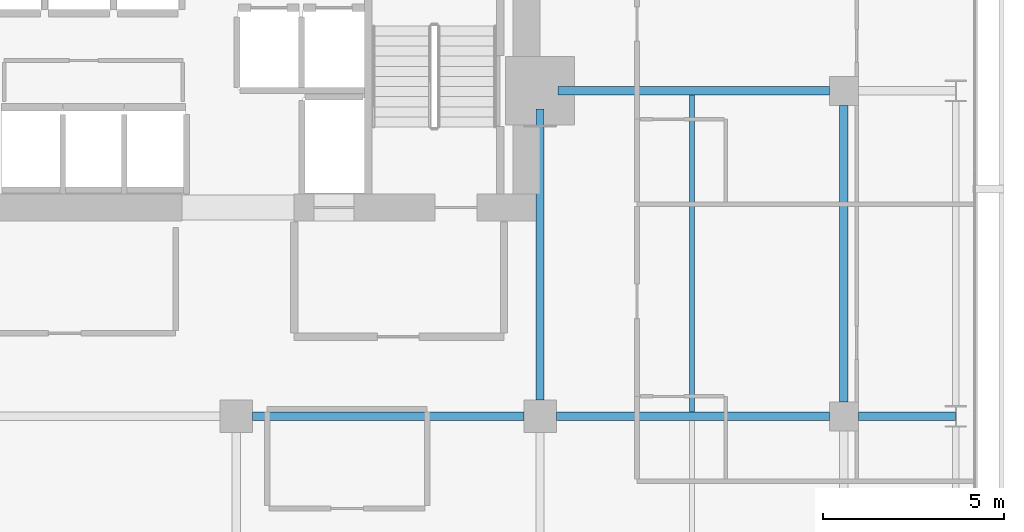
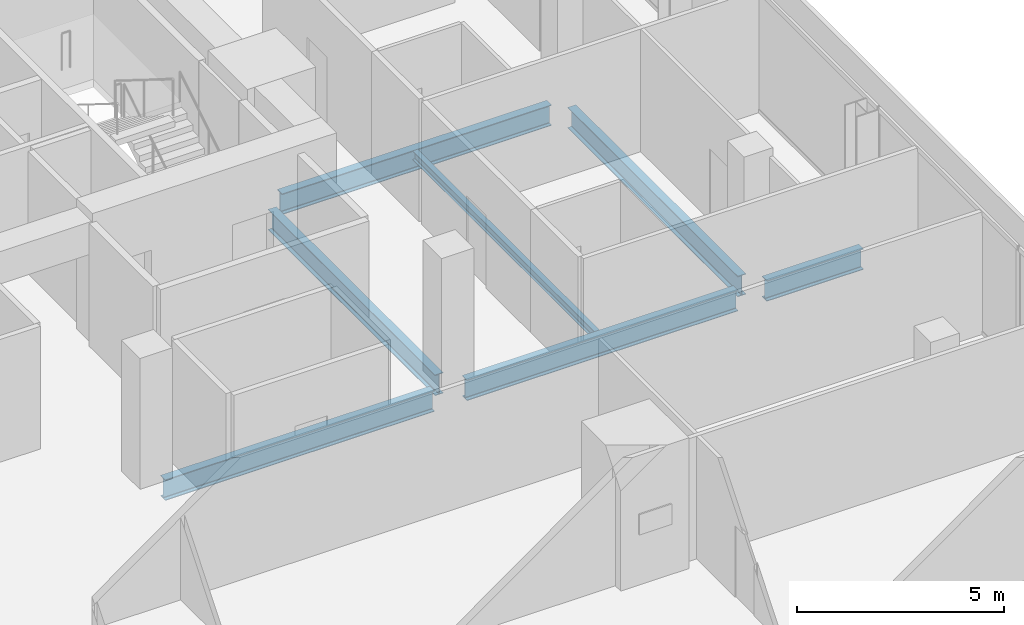
# One storey, part 23 of 33: 7 beams.
"""IFC4 building model written with IfcOpenShell, lengths in metres."""

import ifcopenshell
import ifcopenshell.guid

model = None  # the IFC model being written
_history = None  # IfcOwnerHistory: only IFC2X3 demands one
_inside = {}  # id of a spatial element -> (the spatial element, [elements in it])
_under = {}  # id of a project, library or spatial element -> (it, [spatial elements below it])
_declared = {}  # id of a project -> (the project, [libraries it declares])
_typed = {}  # id of a type object -> (the type object, [elements of that type])
_made_of = {}  # id of a material, layer set ... -> (it, [elements and type objects made of it])


def new_model(schema):
    """Start an empty IFC model of exactly this schema.

    Asked for "IFC4X3", IfcOpenShell would pick the latest addendum, in which some entities
    have other attributes; the version numbers below select the first issue.
    IFC2X3 requires an IfcOwnerHistory on every rooted entity: one is made here for all.
    """
    global model, _history
    if schema == "IFC4X3":
        model = ifcopenshell.file(schema_version=(4, 3, 0, 0))
    else:
        model = ifcopenshell.file(schema=schema)
    _inside.clear()
    _under.clear()
    _declared.clear()
    _typed.clear()
    _made_of.clear()
    _history = None
    if model.schema == "IFC2X3":
        org = make("IfcOrganization", Name="unknown")
        user = make(
            "IfcPersonAndOrganization",
            ThePerson=make("IfcPerson", FamilyName="unknown"),
            TheOrganization=org,
        )
        app = make(
            "IfcApplication",
            ApplicationDeveloper=org,
            Version="unknown",
            ApplicationFullName="unknown",
            ApplicationIdentifier="unknown",
        )
        _history = make(
            "IfcOwnerHistory",
            OwningUser=user,
            OwningApplication=app,
            ChangeAction="ADDED",
            CreationDate=0,
        )
    return model


def make(cls, **values):
    """One entity of the class cls with the attributes given. An attribute that is None is left unset."""
    return model.create_entity(
        cls, **{name: value for name, value in values.items() if value is not None}
    )


def rooted(cls, **values):
    """An entity with a GlobalId (a new one), such as an element, a storey or a relation."""
    return make(cls, GlobalId=ifcopenshell.guid.new(), OwnerHistory=_history, **values)


def si_unit(unit_type, name, prefix=None):
    """IfcSIUnit, for example si_unit("LENGTHUNIT", "METRE", prefix="MILLI")."""
    return make("IfcSIUnit", UnitType=unit_type, Prefix=prefix, Name=name)


def assignment(units):
    """IfcUnitAssignment: the units of a project."""
    return None if units is None else make("IfcUnitAssignment", Units=units)


def point(xyz):
    """IfcCartesianPoint."""
    return None if xyz is None else make("IfcCartesianPoint", Coordinates=xyz)


def direction(xyz):
    """IfcDirection."""
    return None if xyz is None else make("IfcDirection", DirectionRatios=xyz)


def frame(location, z_axis=None, x_axis=None):
    """IfcAxis2Placement3D, a coordinate frame: its origin and axes. An axis left out is left unset."""
    return make(
        "IfcAxis2Placement3D",
        Location=point(location),
        Axis=direction(z_axis),
        RefDirection=direction(x_axis),
    )


def frame_2d(location, x_axis=None):
    """IfcAxis2Placement2D, a coordinate frame in the plane: its origin and x axis."""
    return make(
        "IfcAxis2Placement2D", Location=point(location), RefDirection=direction(x_axis)
    )


def origin():
    """The frame at (0, 0, 0) with its axes left unset."""
    return frame((0.0, 0.0, 0.0))


def origin_2d():
    """The frame at (0, 0) in the plane with its x axis left unset."""
    return frame_2d((0.0, 0.0))


def place(relative_to, where):
    """IfcLocalPlacement: puts the frame where relative to a parent placement (None: the world)."""
    return make(
        "IfcLocalPlacement", PlacementRelTo=relative_to, RelativePlacement=where
    )


def context(
    kind, dimensions, precision=None, world=None, true_north=None, identifier=None
):
    """IfcGeometricRepresentationContext, for example the 3D "Model" context."""
    return make(
        "IfcGeometricRepresentationContext",
        ContextIdentifier=identifier,
        ContextType=kind,
        CoordinateSpaceDimension=dimensions,
        Precision=precision,
        WorldCoordinateSystem=world,
        TrueNorth=true_north,
    )


def subcontext(parent, identifier, kind, view, scale=None):
    """IfcGeometricRepresentationSubContext, for example "Body" below "Model"."""
    return make(
        "IfcGeometricRepresentationSubContext",
        ContextIdentifier=identifier,
        ContextType=kind,
        ParentContext=parent,
        TargetScale=scale,
        TargetView=view,
    )


def project(units=None, contexts=None):
    """IfcProject with its units and contexts."""
    return rooted(
        "IfcProject",
        Name="project",
        RepresentationContexts=contexts,
        UnitsInContext=assignment(units),
    )


def spatial(cls, under=None, at=None, **own):
    """A site, building, storey or space (cls), placed at a placement, below another one or the project."""
    s = rooted(cls, ObjectPlacement=at, **own)
    if under is not None:
        _under.setdefault(under.id(), (under, []))[1].append(s)
    return s


def profile(cls, at=None, kind="AREA", **sizes):
    """A parametric profile (cls). Its sizes go by their IFC names, for example OverallWidth=200.0."""
    return make(cls, ProfileType=kind, Position=at, **sizes)


def i_section(**sizes):
    """IfcIShapeProfileDef."""
    return profile("IfcIShapeProfileDef", **sizes)


def extrude(swept, where, along, depth):
    """IfcExtrudedAreaSolid: the profile swept, set in the frame where, extruded along a direction by depth."""
    return make(
        "IfcExtrudedAreaSolid",
        SweptArea=swept,
        Position=where,
        ExtrudedDirection=direction(along),
        Depth=depth,
    )


def shape(context_of_items, identifier, shape_type, items):
    """IfcShapeRepresentation: the items that make up one representation, for example the "Body"."""
    return make(
        "IfcShapeRepresentation",
        ContextOfItems=context_of_items,
        RepresentationIdentifier=identifier,
        RepresentationType=shape_type,
        Items=items,
    )


def material(Name=None, Category=None):
    """IfcMaterial."""
    return make("IfcMaterial", Name=Name, Category=Category)


def material_profile(
    of_material, cross_section, Name=None, Category=None, Priority=None
):
    """IfcMaterialProfile: a cross section and its material."""
    return make(
        "IfcMaterialProfile",
        Name=Name,
        Material=of_material,
        Profile=cross_section,
        Priority=Priority,
        Category=Category,
    )


def profile_set(profiles, Name=None, composite=None):
    """IfcMaterialProfileSet."""
    return make(
        "IfcMaterialProfileSet",
        Name=Name,
        MaterialProfiles=profiles,
        CompositeProfile=composite,
    )


def made_of(thing, what):
    """Note that an element or type object is made of a material, layer set ...; save() writes the relation."""
    if what is not None:
        _made_of.setdefault(what.id(), (what, []))[1].append(thing)
    return thing


def type_object(cls, material=None, **own):
    """A type object (cls), such as IfcWallType, which elements share."""
    return made_of(rooted(cls, **own), material)


def element(
    cls,
    number,
    at=None,
    inside=None,
    cuts=None,
    type_object=None,
    material=None,
    context=None,
    identifier="Body",
    shape_type=None,
    held_by="IfcProductDefinitionShape",
    body=None,
    shapes=None,
    **own,
):
    """One element of the class cls, such as IfcWall. Its Tag is "e" and its number.

    at: its placement. inside: the storey or other place that contains it. cuts: it is an
    opening in that element (IfcRelVoidsElement). A single representation is given by context,
    identifier, shape_type and body (its items); several are given by shapes. held_by: the class
    of the entity that holds the representations. save() writes the other relations.
    """
    e = rooted(cls, Tag="e%d" % number, ObjectPlacement=at, **own)
    if body is not None:
        shapes = [shape(context, identifier, shape_type, body)]
    if shapes is not None:
        e.Representation = make(held_by, Representations=shapes)
    if inside is not None:
        _inside.setdefault(inside.id(), (inside, []))[1].append(e)
    if cuts is not None:
        rooted(
            "IfcRelVoidsElement", RelatingBuildingElement=cuts, RelatedOpeningElement=e
        )
    if type_object is not None:
        _typed.setdefault(type_object.id(), (type_object, []))[1].append(e)
    return made_of(e, material)


def aggregate(whole, parts):
    """IfcRelAggregates: a whole, such as a stair, and the parts it consists of."""
    return rooted("IfcRelAggregates", RelatingObject=whole, RelatedObjects=parts)


def save(model, path):
    """Write the relations noted so far, then the file.

    IfcRelAggregates (storeys below a building ...), IfcRelContainedInSpatialStructure (elements
    in a storey), IfcRelDefinesByType, IfcRelAssociatesMaterial and IfcRelDeclares: one each for
    every whole, place, type object, material and project.
    """
    for whole, parts in _under.values():
        aggregate(whole, parts)
    for where, things in _inside.values():
        rooted(
            "IfcRelContainedInSpatialStructure",
            RelatedElements=things,
            RelatingStructure=where,
        )
    for kind, things in _typed.values():
        rooted("IfcRelDefinesByType", RelatedObjects=things, RelatingType=kind)
    for what, things in _made_of.values():
        rooted("IfcRelAssociatesMaterial", RelatedObjects=things, RelatingMaterial=what)
    for by, libraries in _declared.values():
        rooted("IfcRelDeclares", RelatingContext=by, RelatedDefinitions=libraries)
    model.write(path)


model = new_model("IFC4")

# Units and contexts
model_context = context("Model", 3, precision=1e-05, world=origin(), true_north=direction((0.0, 1.0)))
body_context = subcontext(model_context, "Body", "Model", "MODEL_VIEW")
ifc_project = project(units=[si_unit("LENGTHUNIT", "METRE"), si_unit("AREAUNIT", "SQUARE_METRE"), si_unit("VOLUMEUNIT", "CUBIC_METRE"), si_unit("PLANEANGLEUNIT", "RADIAN"), si_unit("MASSUNIT", "GRAM", prefix="KILO")], contexts=[model_context])

# Site, building, storey
site_placement = place(None, origin())
site = spatial("IfcSite", under=ifc_project, at=site_placement, CompositionType="ELEMENT")
building_placement = place(site_placement, origin())
building = spatial("IfcBuilding", under=site, at=building_placement, Name="Maruvema Waterfront Hotel and Observation Tower", CompositionType="ELEMENT")
storey_placement = place(building_placement, frame((0.0, 0.0, 138.949951171875)))
storey = spatial("IfcBuildingStorey", under=building, at=storey_placement, Name="L33", CompositionType="ELEMENT", Elevation=138.949951171875)

# Beams
ifc_material_1 = material(Name="Steel ASTM A572 Grade 50", Category="steel")
ifc_material_profile_1 = material_profile(ifc_material_1, i_section(OverallWidth=0.22900390625, OverallDepth=0.612060546875, WebThickness=0.011962890625, FlangeThickness=0.01953125, FilletRadius=0.01806640625, at=origin_2d()), Name="W610x125.0")
ifc_profile_set_1 = profile_set([ifc_material_profile_1], Name="Steel ASTM A572 Grade 50")
beam_type_1 = type_object("IfcBeamType", Name="Primary Floor Girder W610x125.0", PredefinedType="BEAM", material=ifc_profile_set_1)
beam_1_placement = place(storey_placement, frame((42.449951171875, 36.0, -0.5458984375), z_axis=(1.0, 0.0, 0.0), x_axis=(0.0, 1.0, 0.0)))
element("IfcBeam", 1, at=beam_1_placement, inside=storey, type_object=beam_type_1, Name="L33 Floor Girder EW-27", PredefinedType="BEAM", context=body_context, shape_type="SweptSolid", body=[
    extrude(i_section(OverallWidth=0.22900390625, OverallDepth=0.612060546875, WebThickness=0.011962890625, FlangeThickness=0.01953125, FilletRadius=0.01806640625, at=origin_2d()), origin(), (0.0, 0.0, 1.0), 7.5),
])
beam_2_placement = place(storey_placement, frame((50.85009765625, 36.0, -0.5458984375), z_axis=(1.0, 0.0, 0.0), x_axis=(0.0, 1.0, 0.0)))
element("IfcBeam", 2, at=beam_2_placement, inside=storey, type_object=beam_type_1, Name="L33 Floor Girder EW-28", PredefinedType="BEAM", context=body_context, shape_type="SweptSolid", body=[
    extrude(i_section(OverallWidth=0.22900390625, OverallDepth=0.612060546875, WebThickness=0.011962890625, FlangeThickness=0.01953125, FilletRadius=0.01806640625, at=origin_2d()), origin(), (0.0, 0.0, 1.0), 7.5498046875),
])
beam_3_placement = place(storey_placement, frame((59.199951171875, 36.0, -0.5458984375), z_axis=(1.0, 0.0, 0.0), x_axis=(0.0, 1.0, 0.0)))
element("IfcBeam", 3, at=beam_3_placement, inside=storey, type_object=beam_type_1, Name="L33 Floor Girder EW-29", PredefinedType="BEAM", context=body_context, shape_type="SweptSolid", body=[
    extrude(i_section(OverallWidth=0.22900390625, OverallDepth=0.612060546875, WebThickness=0.011962890625, FlangeThickness=0.01953125, FilletRadius=0.01806640625, at=origin_2d()), origin(), (0.0, 0.0, 1.0), 2.6875),
])
beam_4_placement = place(storey_placement, frame((50.89990234375, 45.0, -0.5458984375), z_axis=(1.0, 0.0, 0.0), x_axis=(0.0, 1.0, 0.0)))
element("IfcBeam", 4, at=beam_4_placement, inside=storey, type_object=beam_type_1, Name="L33 Floor Girder EW-32", PredefinedType="BEAM", context=body_context, shape_type="SweptSolid", body=[
    extrude(i_section(OverallWidth=0.22900390625, OverallDepth=0.612060546875, WebThickness=0.011962890625, FlangeThickness=0.01953125, FilletRadius=0.01806640625, at=origin_2d()), origin(), (0.0, 0.0, 1.0), 7.5),
])
beam_5_placement = place(storey_placement, frame((50.39990234375, 36.449951171875, -0.5458984375), z_axis=(0.0, 1.0, 0.0), x_axis=(-1.0, 0.0, 0.0)))
element("IfcBeam", 5, at=beam_5_placement, inside=storey, type_object=beam_type_1, Name="L33 Floor Girder NS-24", PredefinedType="BEAM", context=body_context, shape_type="SweptSolid", body=[
    extrude(i_section(OverallWidth=0.22900390625, OverallDepth=0.612060546875, WebThickness=0.011962890625, FlangeThickness=0.01953125, FilletRadius=0.01806640625, at=origin_2d()), origin(), (0.0, 0.0, 1.0), 8.050048828125),
])
beam_6_placement = place(storey_placement, frame((58.800048828125, 36.39990234375, -0.5458984375), z_axis=(0.0, 1.0, 0.0), x_axis=(-1.0, 0.0, 0.0)))
element("IfcBeam", 6, at=beam_6_placement, inside=storey, type_object=beam_type_1, Name="L33 Floor Girder NS-28", PredefinedType="BEAM", context=body_context, shape_type="SweptSolid", body=[
    extrude(i_section(OverallWidth=0.22900390625, OverallDepth=0.612060546875, WebThickness=0.011962890625, FlangeThickness=0.01953125, FilletRadius=0.01806640625, at=origin_2d()), origin(), (0.0, 0.0, 1.0), 8.2001953125),
])
ifc_material_2 = material(Name="Steel ASTM A572 Grade 50", Category="steel")
ifc_material_profile_2 = material_profile(ifc_material_2, i_section(OverallWidth=0.14599609375, OverallDepth=0.258056640625, WebThickness=0.006103515625, FlangeThickness=0.009033203125, FilletRadius=0.012939453125, at=origin_2d()), Name="W250x32.7")
ifc_profile_set_2 = profile_set([ifc_material_profile_2], Name="Steel ASTM A572 Grade 50")
beam_type_2 = type_object("IfcBeamType", Name="Secondary Floor Joist W250x32.7", PredefinedType="JOIST", material=ifc_profile_set_2)
beam_7_placement = place(storey_placement, frame((54.60009765625, 36.114501953125, -0.368896484375), z_axis=(0.0, 1.0, 0.0), x_axis=(-1.0, 0.0, 0.0)))
element("IfcBeam", 7, at=beam_7_placement, inside=storey, type_object=beam_type_2, Name="L33 Secondary Floor Joist JS-14", PredefinedType="JOIST", context=body_context, shape_type="SweptSolid", body=[
    extrude(i_section(OverallWidth=0.14599609375, OverallDepth=0.258056640625, WebThickness=0.006103515625, FlangeThickness=0.009033203125, FilletRadius=0.012939453125, at=origin_2d()), origin(), (0.0, 0.0, 1.0), 8.77099609375),
])

save(model, "model.ifc")
